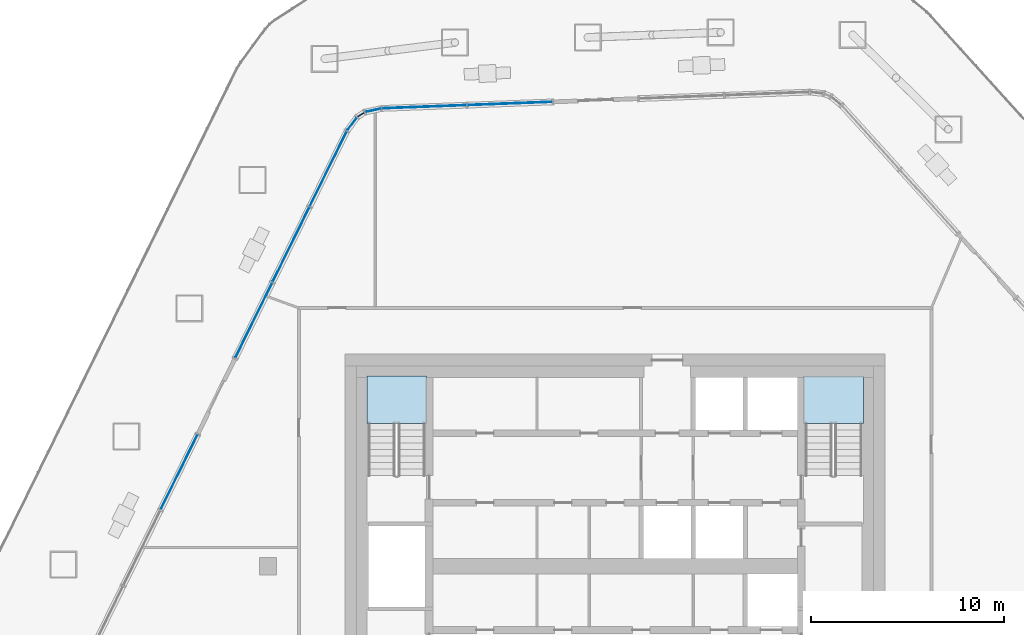
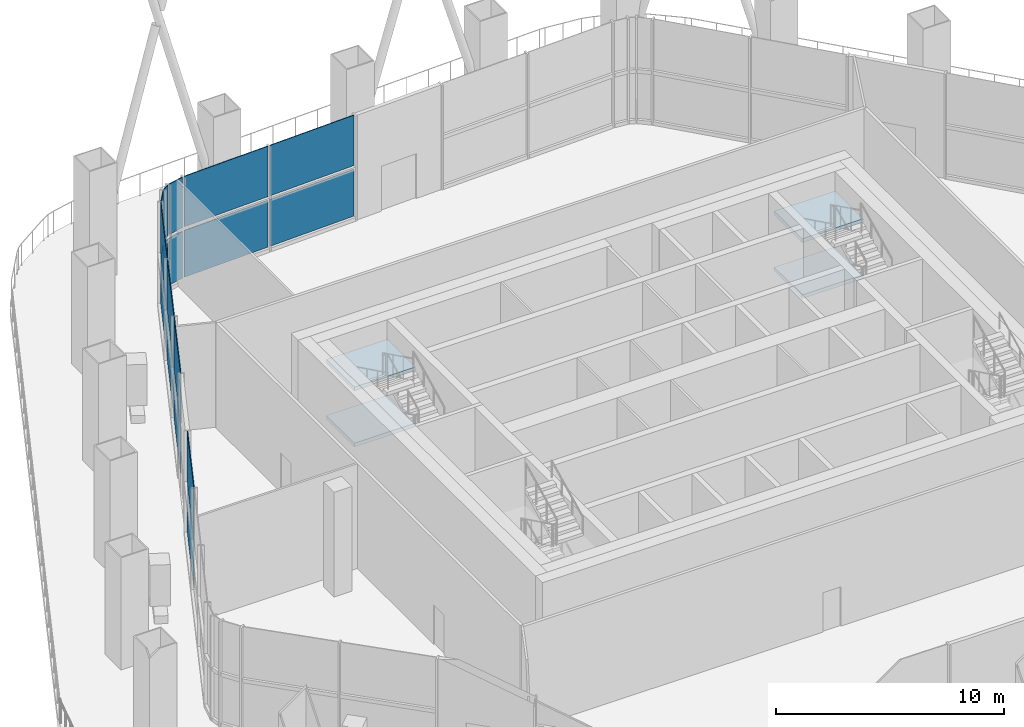
# One storey, part 10 of 20: 18 plates, 4 slabs, 6 elements without a shape of their own.
"""IFC4 building model written with IfcOpenShell, lengths in metres."""

from ifc_helpers import new_model, si_unit, direction, frame, origin, origin_2d, place, context, subcontext, project, spatial, polyline, rectangle, outline, extrude, material, layer, layer_set, type_object, element, aggregate, save


model = new_model("IFC4")

# Units and contexts
model_context = context("Model", 3, precision=1e-05, world=origin(), true_north=direction((0.0, 1.0)))
body_context = subcontext(model_context, "Body", "Model", "MODEL_VIEW")
ifc_project = project(units=[si_unit("LENGTHUNIT", "METRE"), si_unit("AREAUNIT", "SQUARE_METRE"), si_unit("VOLUMEUNIT", "CUBIC_METRE"), si_unit("PLANEANGLEUNIT", "RADIAN"), si_unit("MASSUNIT", "GRAM", prefix="KILO")], contexts=[model_context])

# Site, building, storey
site_placement = place(None, origin())
site = spatial("IfcSite", under=ifc_project, at=site_placement, CompositionType="ELEMENT")
building_placement = place(site_placement, origin())
building = spatial("IfcBuilding", under=site, at=building_placement, Name="Dongbaek Canopy Tower", CompositionType="ELEMENT")
storey_placement = place(building_placement, frame((0.0, 0.0, 353.0)))
storey = spatial("IfcBuildingStorey", under=building, at=storey_placement, Name="L76", CompositionType="ELEMENT", Elevation=353.0)

# Curtain wall, plates
ifc_material_1 = material(Name="Aluminium 6063-T6 pale anodised", Category="aluminium")
ifc_layer_1 = layer(ifc_material_1, 0.300048828125)
ifc_layer_set_1 = layer_set([ifc_layer_1], Name="CW-5 observation lounge curtain wall")
curtain_wall_type = type_object("IfcCurtainWallType", Name="CW-5 observation lounge curtain wall", PredefinedType="NOTDEFINED", material=ifc_layer_set_1)
curtain_wall_1_placement = place(storey_placement, origin())
curtain_wall_1 = element("IfcCurtainWall", 1, at=curtain_wall_1_placement, inside=storey, type_object=curtain_wall_type, Name="CW-5 curtain wall F1.2", PredefinedType="NOTDEFINED")
ifc_material_2 = material(Name="Clear laminated glass", Category="glass")
ifc_layer_2 = layer(ifc_material_2, 0.0400390625)
ifc_layer_set_2 = layer_set([ifc_layer_2], Name="CW-5 glazed panel 40")
plate_type = type_object("IfcPlateType", Name="CW-5 glazed panel 40", PredefinedType="CURTAIN_PANEL", material=ifc_layer_set_2)
plate_1_placement = place(storey_placement, frame((-5.453369140625, 23.999755859375, 0.199951171875), z_axis=(0.0, 0.0, 1.0), x_axis=(-0.999268890918, -0.038231971473, 0.0)))
plate_1 = element("IfcPlate", 2, at=plate_1_placement, type_object=plate_type, Name="CW-5 panel F1.2.1.1", PredefinedType="CURTAIN_PANEL", context=body_context, shape_type="SweptSolid", body=[
    extrude(rectangle(XDim=4.34326171875, YDim=0.0400390625, at=origin_2d()), origin(), (0.0, 0.0, 1.0), 2.5),
])
plate_2_placement = place(storey_placement, frame((-5.453369140625, 23.999755859375, 2.89990234375), z_axis=(0.0, 0.0, 1.0), x_axis=(-0.999268890918, -0.038231971473, 0.0)))
plate_2 = element("IfcPlate", 3, at=plate_2_placement, type_object=plate_type, Name="CW-5 panel F1.2.1.2", PredefinedType="CURTAIN_PANEL", context=body_context, shape_type="SweptSolid", body=[
    extrude(rectangle(XDim=4.34326171875, YDim=0.0400390625, at=origin_2d()), origin(), (0.0, 0.0, 1.0), 2.699951171875),
])
plate_3_placement = place(storey_placement, frame((-9.89306640625, 23.829833984375, 0.199951171875), z_axis=(0.0, 0.0, 1.0), x_axis=(-0.999268890918, -0.038231971473, 0.0)))
plate_3 = element("IfcPlate", 4, at=plate_3_placement, type_object=plate_type, Name="CW-5 panel F1.2.2.1", PredefinedType="CURTAIN_PANEL", context=body_context, shape_type="SweptSolid", body=[
    extrude(rectangle(XDim=4.334228515625, YDim=0.0400390625, at=origin_2d()), origin(), (0.0, 0.0, 1.0), 2.5),
])
plate_4_placement = place(storey_placement, frame((-9.89306640625, 23.829833984375, 2.89990234375), z_axis=(0.0, 0.0, 1.0), x_axis=(-0.999268890918, -0.038231971473, 0.0)))
plate_4 = element("IfcPlate", 5, at=plate_4_placement, type_object=plate_type, Name="CW-5 panel F1.2.2.2", PredefinedType="CURTAIN_PANEL", context=body_context, shape_type="SweptSolid", body=[
    extrude(rectangle(XDim=4.334228515625, YDim=0.0400390625, at=origin_2d()), origin(), (0.0, 0.0, 1.0), 2.699951171875),
])
aggregate(curtain_wall_1, [plate_1, plate_2, plate_3, plate_4])

curtain_wall_2_placement = place(storey_placement, origin())
curtain_wall_2 = element("IfcCurtainWall", 6, at=curtain_wall_2_placement, inside=storey, type_object=curtain_wall_type, Name="CW-5 curtain wall K1.1", PredefinedType="NOTDEFINED")
plate_5_placement = place(storey_placement, frame((-12.54638671875, 23.648681640625, 0.199951171875), z_axis=(0.0, 0.0, 1.0), x_axis=(-0.976443212756, -0.215774540347, 0.0)))
plate_5 = element("IfcPlate", 7, at=plate_5_placement, type_object=plate_type, Name="CW-5 panel K1.1.1.1", PredefinedType="CURTAIN_PANEL", context=body_context, shape_type="SweptSolid", body=[
    extrude(rectangle(XDim=0.78857421875, YDim=0.0400390625, at=origin_2d()), origin(), (0.0, 0.0, 1.0), 2.5),
])
plate_6_placement = place(storey_placement, frame((-12.54638671875, 23.648681640625, 2.89990234375), z_axis=(0.0, 0.0, 1.0), x_axis=(-0.976443212756, -0.215774540347, 0.0)))
plate_6 = element("IfcPlate", 8, at=plate_6_placement, type_object=plate_type, Name="CW-5 panel K1.1.1.2", PredefinedType="CURTAIN_PANEL", context=body_context, shape_type="SweptSolid", body=[
    extrude(rectangle(XDim=0.78857421875, YDim=0.0400390625, at=origin_2d()), origin(), (0.0, 0.0, 1.0), 2.699951171875),
])
plate_7_placement = place(storey_placement, frame((-13.18017578125, 23.423828125, 0.199951171875), z_axis=(0.0, 0.0, 1.0), x_axis=(-0.838663696737, -0.544649615602, 0.0)))
plate_7 = element("IfcPlate", 9, at=plate_7_placement, type_object=plate_type, Name="CW-5 panel K1.1.2.1", PredefinedType="CURTAIN_PANEL", context=body_context, shape_type="SweptSolid", body=[
    extrude(rectangle(XDim=0.368408203125, YDim=0.0400390625, at=origin_2d()), origin(), (0.0, 0.0, 1.0), 2.5),
])
plate_8_placement = place(storey_placement, frame((-13.18017578125, 23.423828125, 2.89990234375), z_axis=(0.0, 0.0, 1.0), x_axis=(-0.838663696737, -0.544649615602, 0.0)))
plate_8 = element("IfcPlate", 10, at=plate_8_placement, type_object=plate_type, Name="CW-5 panel K1.1.2.2", PredefinedType="CURTAIN_PANEL", context=body_context, shape_type="SweptSolid", body=[
    extrude(rectangle(XDim=0.368408203125, YDim=0.0400390625, at=origin_2d()), origin(), (0.0, 0.0, 1.0), 2.699951171875),
])
plate_9_placement = place(storey_placement, frame((-13.6435546875, 22.936279296875, 0.199951171875), z_axis=(0.0, 0.0, 1.0), x_axis=(-0.594252620294, -0.804278448843, 0.0)))
plate_9 = element("IfcPlate", 11, at=plate_9_placement, type_object=plate_type, Name="CW-5 panel K1.1.3.1", PredefinedType="CURTAIN_PANEL", context=body_context, shape_type="SweptSolid", body=[
    extrude(rectangle(XDim=0.78857421875, YDim=0.0400390625, at=origin_2d()), origin(), (0.0, 0.0, 1.0), 2.5),
])
plate_10_placement = place(storey_placement, frame((-13.6435546875, 22.936279296875, 2.89990234375), z_axis=(0.0, 0.0, 1.0), x_axis=(-0.594252620294, -0.804278448843, 0.0)))
plate_10 = element("IfcPlate", 12, at=plate_10_placement, type_object=plate_type, Name="CW-5 panel K1.1.3.2", PredefinedType="CURTAIN_PANEL", context=body_context, shape_type="SweptSolid", body=[
    extrude(rectangle(XDim=0.78857421875, YDim=0.0400390625, at=origin_2d()), origin(), (0.0, 0.0, 1.0), 2.699951171875),
])
aggregate(curtain_wall_2, [plate_5, plate_6, plate_7, plate_8, plate_9, plate_10])

curtain_wall_3_placement = place(storey_placement, origin())
curtain_wall_3 = element("IfcCurtainWall", 13, at=curtain_wall_3_placement, inside=storey, type_object=curtain_wall_type, Name="CW-5 curtain wall F2.1", PredefinedType="NOTDEFINED")
plate_11_placement = place(storey_placement, frame((-14.8740234375, 20.614990234375, 0.199951171875), z_axis=(0.0, 0.0, 1.0), x_axis=(-0.441341617152, -0.897339164959, 0.0)))
plate_11 = element("IfcPlate", 14, at=plate_11_placement, type_object=plate_type, Name="CW-5 panel F2.1.1.1", PredefinedType="CURTAIN_PANEL", context=body_context, shape_type="SweptSolid", body=[
    extrude(rectangle(XDim=4.269775390625, YDim=0.0400390625, at=origin_2d()), origin(), (0.0, 0.0, 1.0), 2.5),
])
plate_12_placement = place(storey_placement, frame((-14.8740234375, 20.614990234375, 2.89990234375), z_axis=(0.0, 0.0, 1.0), x_axis=(-0.441341617152, -0.897339164959, 0.0)))
plate_12 = element("IfcPlate", 15, at=plate_12_placement, type_object=plate_type, Name="CW-5 panel F2.1.1.2", PredefinedType="CURTAIN_PANEL", context=body_context, shape_type="SweptSolid", body=[
    extrude(rectangle(XDim=4.269775390625, YDim=0.0400390625, at=origin_2d()), origin(), (0.0, 0.0, 1.0), 2.699951171875),
])
plate_13_placement = place(storey_placement, frame((-16.806396484375, 16.68603515625, 0.199951171875), z_axis=(0.0, 0.0, 1.0), x_axis=(-0.441341617152, -0.897339164959, 0.0)))
plate_13 = element("IfcPlate", 16, at=plate_13_placement, type_object=plate_type, Name="CW-5 panel F2.1.2.1", PredefinedType="CURTAIN_PANEL", context=body_context, shape_type="SweptSolid", body=[
    extrude(rectangle(XDim=4.27880859375, YDim=0.0400390625, at=origin_2d()), origin(), (0.0, 0.0, 1.0), 2.5),
])
plate_14_placement = place(storey_placement, frame((-16.806396484375, 16.68603515625, 2.89990234375), z_axis=(0.0, 0.0, 1.0), x_axis=(-0.441341617152, -0.897339164959, 0.0)))
plate_14 = element("IfcPlate", 17, at=plate_14_placement, type_object=plate_type, Name="CW-5 panel F2.1.2.2", PredefinedType="CURTAIN_PANEL", context=body_context, shape_type="SweptSolid", body=[
    extrude(rectangle(XDim=4.27880859375, YDim=0.0400390625, at=origin_2d()), origin(), (0.0, 0.0, 1.0), 2.699951171875),
])
plate_15_placement = place(storey_placement, frame((-18.740478515625, 12.753173828125, 0.199951171875), z_axis=(0.0, 0.0, 1.0), x_axis=(-0.441341617152, -0.897339164959, 0.0)))
plate_15 = element("IfcPlate", 18, at=plate_15_placement, type_object=plate_type, Name="CW-5 panel F2.1.3.1", PredefinedType="CURTAIN_PANEL", context=body_context, shape_type="SweptSolid", body=[
    extrude(rectangle(XDim=4.27880859375, YDim=0.0400390625, at=origin_2d()), origin(), (0.0, 0.0, 1.0), 2.5),
])
plate_16_placement = place(storey_placement, frame((-18.740478515625, 12.753173828125, 2.89990234375), z_axis=(0.0, 0.0, 1.0), x_axis=(-0.441341617152, -0.897339164959, 0.0)))
plate_16 = element("IfcPlate", 19, at=plate_16_placement, type_object=plate_type, Name="CW-5 panel F2.1.3.2", PredefinedType="CURTAIN_PANEL", context=body_context, shape_type="SweptSolid", body=[
    extrude(rectangle(XDim=4.27880859375, YDim=0.0400390625, at=origin_2d()), origin(), (0.0, 0.0, 1.0), 2.699951171875),
])
aggregate(curtain_wall_3, [plate_11, plate_12, plate_13, plate_14, plate_15, plate_16])

curtain_wall_4_placement = place(storey_placement, origin())
curtain_wall_4 = element("IfcCurtainWall", 20, at=curtain_wall_4_placement, inside=storey, type_object=curtain_wall_type, Name="CW-5 curtain wall F2.2", PredefinedType="NOTDEFINED")
plate_17_placement = place(storey_placement, frame((-22.609130859375, 4.8876953125, 0.199951171875), z_axis=(0.0, 0.0, 1.0), x_axis=(-0.441341617152, -0.897339164959, 0.0)))
plate_17 = element("IfcPlate", 21, at=plate_17_placement, type_object=plate_type, Name="CW-5 panel F2.2.1.1", PredefinedType="CURTAIN_PANEL", context=body_context, shape_type="SweptSolid", body=[
    extrude(rectangle(XDim=4.27880859375, YDim=0.0400390625, at=origin_2d()), origin(), (0.0, 0.0, 1.0), 2.5),
])
plate_18_placement = place(storey_placement, frame((-22.609130859375, 4.8876953125, 2.89990234375), z_axis=(0.0, 0.0, 1.0), x_axis=(-0.441341617152, -0.897339164959, 0.0)))
plate_18 = element("IfcPlate", 22, at=plate_18_placement, type_object=plate_type, Name="CW-5 panel F2.2.1.2", PredefinedType="CURTAIN_PANEL", context=body_context, shape_type="SweptSolid", body=[
    extrude(rectangle(XDim=4.27880859375, YDim=0.0400390625, at=origin_2d()), origin(), (0.0, 0.0, 1.0), 2.699951171875),
])
aggregate(curtain_wall_4, [plate_17, plate_18])

# Stair, slabs
ifc_material_3 = material(Name="Concrete C40/50", Category="concrete")
stair_type = type_object("IfcStairType", Name="Core exit stair", PredefinedType="HALF_TURN_STAIR", material=ifc_material_3)
stair_1_placement = place(storey_placement, origin())
stair_1 = element("IfcStair", 23, at=stair_1_placement, inside=storey, type_object=stair_type, Name="L76 exit stair A", PredefinedType="HALF_TURN_STAIR")
ifc_material_4 = material(Name="Concrete C40/50", Category="concrete")
ifc_layer_3 = layer(ifc_material_4, 0.199951171875)
ifc_layer_set_3 = layer_set([ifc_layer_3], Name="Core stair landing 200")
slab_type = type_object("IfcSlabType", Name="Core stair landing 200", PredefinedType="LANDING", material=ifc_layer_set_3)
slab_1_placement = place(storey_placement, frame((0.0, 0.0, 1.300048828125)))
slab_1 = element("IfcSlab", 24, at=slab_1_placement, type_object=slab_type, Name="ST-A landing 1", PredefinedType="LANDING", context=body_context, shape_type="SweptSolid", body=[
    extrude(outline(polyline([(12.875, 7.419921875), (12.875, 9.875), (9.77490234375, 9.875), (9.77490234375, 7.419921875), (12.875, 7.419921875)])), origin(), (0.0, 0.0, 1.0), 0.199951171875),
])
slab_2_placement = place(storey_placement, frame((0.0, 0.0, 4.300048828125)))
slab_2 = element("IfcSlab", 25, at=slab_2_placement, type_object=slab_type, Name="ST-A landing 3", PredefinedType="LANDING", context=body_context, shape_type="SweptSolid", body=[
    extrude(outline(polyline([(12.875, 7.419921875), (12.875, 9.875), (9.77490234375, 9.875), (9.77490234375, 7.419921875), (12.875, 7.419921875)])), origin(), (0.0, 0.0, 1.0), 0.199951171875),
])
aggregate(stair_1, [slab_1, slab_2])

stair_2_placement = place(storey_placement, origin())
stair_2 = element("IfcStair", 26, at=stair_2_placement, inside=storey, type_object=stair_type, Name="L76 exit stair C", PredefinedType="HALF_TURN_STAIR")
slab_3_placement = place(storey_placement, frame((0.0, 0.0, 1.300048828125)))
slab_3 = element("IfcSlab", 27, at=slab_3_placement, type_object=slab_type, Name="ST-C landing 1", PredefinedType="LANDING", context=body_context, shape_type="SweptSolid", body=[
    extrude(outline(polyline([(-9.77490234375, 7.419921875), (-9.77490234375, 9.875), (-12.875, 9.875), (-12.875, 7.419921875), (-9.77490234375, 7.419921875)])), origin(), (0.0, 0.0, 1.0), 0.199951171875),
])
slab_4_placement = place(storey_placement, frame((0.0, 0.0, 4.300048828125)))
slab_4 = element("IfcSlab", 28, at=slab_4_placement, type_object=slab_type, Name="ST-C landing 3", PredefinedType="LANDING", context=body_context, shape_type="SweptSolid", body=[
    extrude(outline(polyline([(-9.77490234375, 7.419921875), (-9.77490234375, 9.875), (-12.875, 9.875), (-12.875, 7.419921875), (-9.77490234375, 7.419921875)])), origin(), (0.0, 0.0, 1.0), 0.199951171875),
])
aggregate(stair_2, [slab_3, slab_4])

save(model, "model.ifc")
